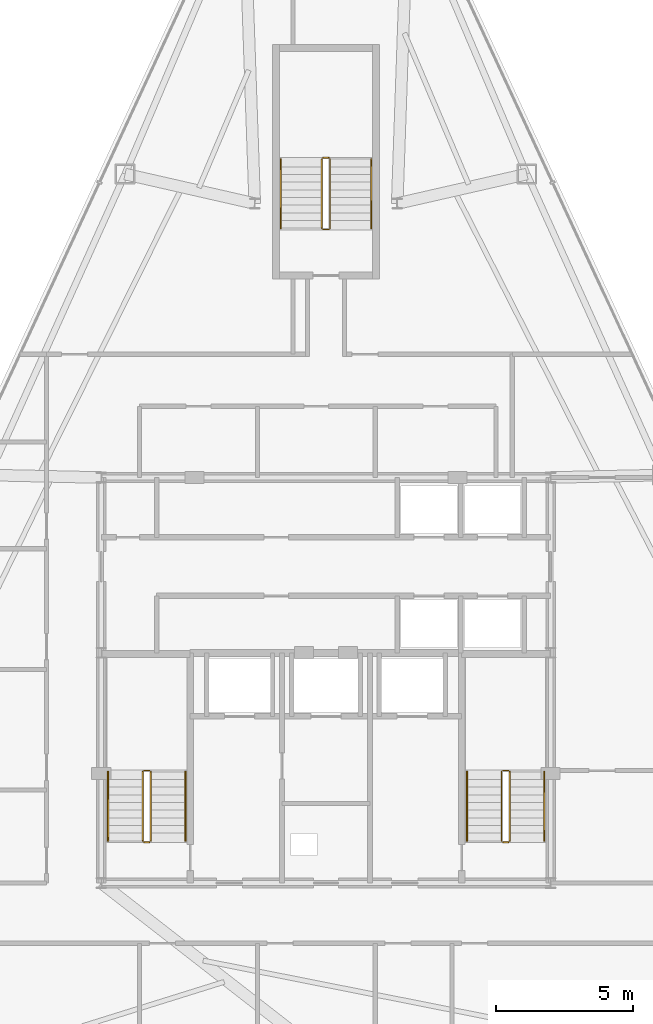
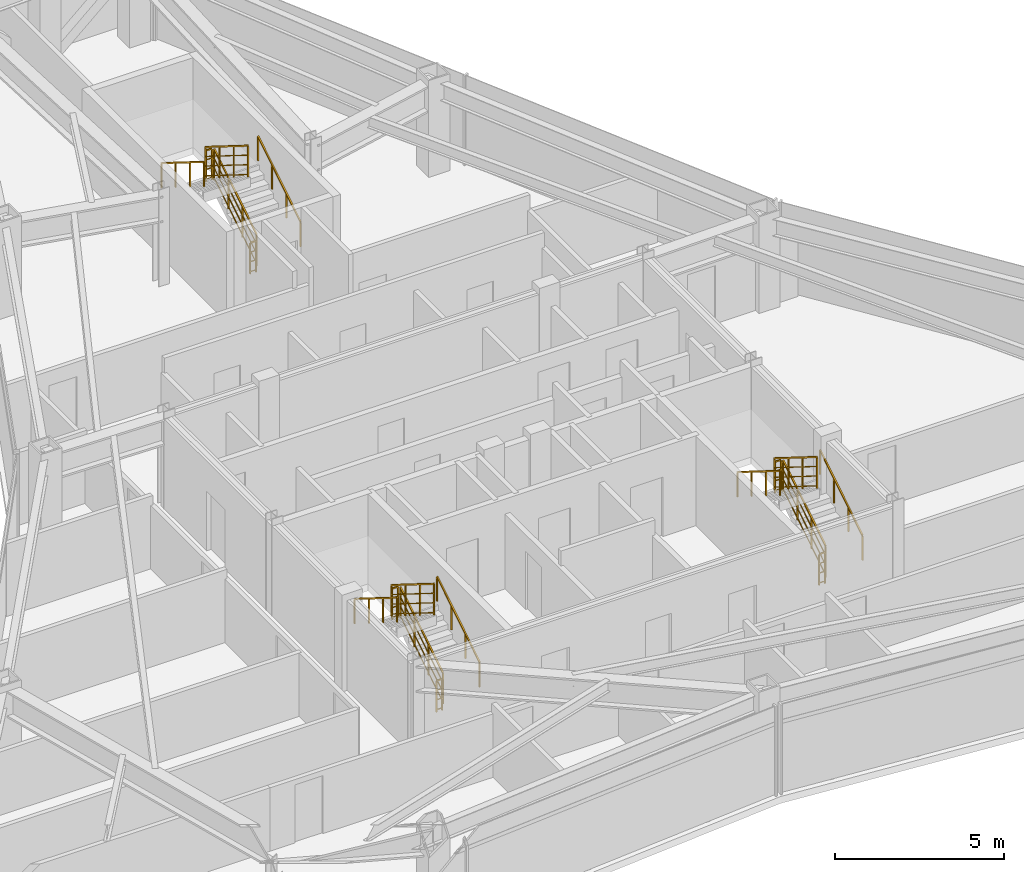
# One storey, part 12 of 12: 18 railings.
"""IFC4 building model written with IfcOpenShell, lengths in metres."""

from ifc_helpers import new_model, si_unit, direction, frame, origin, origin_2d, place, context, subcontext, project, spatial, rectangle, extrude, material, type_object, element, save


model = new_model("IFC4")

# Units and contexts
model_context = context("Model", 3, precision=1e-05, world=origin(), true_north=direction((0.0, 1.0)))
body_context = subcontext(model_context, "Body", "Model", "MODEL_VIEW")
ifc_project = project(units=[si_unit("LENGTHUNIT", "METRE"), si_unit("AREAUNIT", "SQUARE_METRE"), si_unit("VOLUMEUNIT", "CUBIC_METRE"), si_unit("PLANEANGLEUNIT", "RADIAN"), si_unit("MASSUNIT", "GRAM", prefix="KILO")], contexts=[model_context])

# Site, building, storey
site_placement = place(None, origin())
site = spatial("IfcSite", under=ifc_project, at=site_placement, CompositionType="ELEMENT")
building_placement = place(site_placement, origin())
building = spatial("IfcBuilding", under=site, at=building_placement, Name="Varakhsha Concourse Tower", CompositionType="ELEMENT")
storey_placement = place(building_placement, frame((0.0, 0.0, 236.39990234375)))
storey = spatial("IfcBuildingStorey", under=building, at=storey_placement, Name="L67", CompositionType="ELEMENT", Elevation=236.39990234375)

# Railings
ifc_material = material(Name="Brushed Austenitic Stainless Steel AISI 316", Category="steel")
railing_type_1 = type_object("IfcRailingType", Name="RL-STAIR-GUARD-1100", PredefinedType="GUARDRAIL", material=ifc_material)
railing_1_placement = place(storey_placement, frame((33.610107421875, 17.93994140625, 0.175048828125)))
element("IfcRailing", 1, at=railing_1_placement, inside=storey, type_object=railing_type_1, Name="L67 ST1 stair guard 1", PredefinedType="GUARDRAIL", context=body_context, shape_type="SweptSolid", body=[
    extrude(rectangle(XDim=0.048095703125, YDim=0.048095703125, at=origin_2d()), frame((0.0, 0.0, 1.1259765625), z_axis=(0.0, 0.848007534815, 0.529984170421), x_axis=(-1.0, 0.0, 0.0)), (0.0, 0.0, 1.0), 2.9716796875),
    extrude(rectangle(XDim=0.028076171875, YDim=0.028076171875, at=origin_2d()), frame((0.0, 0.0, 0.080078125), z_axis=(0.0, 0.848007534815, 0.529984170421), x_axis=(-1.0, 0.0, 0.0)), (0.0, 0.0, 1.0), 2.9716796875),
    extrude(rectangle(XDim=0.028076171875, YDim=0.028076171875, at=origin_2d()), frame((0.0, 0.0, 0.43701171875), z_axis=(0.0, 0.848007534815, 0.529984170421), x_axis=(-1.0, 0.0, 0.0)), (0.0, 0.0, 1.0), 2.9716796875),
    extrude(rectangle(XDim=0.028076171875, YDim=0.028076171875, at=origin_2d()), frame((0.0, 0.0, 0.781982421875), z_axis=(0.0, 0.848007534815, 0.529984170421), x_axis=(-1.0, 0.0, 0.0)), (0.0, 0.0, 1.0), 2.9716796875),
    extrude(rectangle(XDim=0.0419921875, YDim=0.0419921875, at=origin_2d()), origin(), (0.0, 0.0, 1.0), 1.101806640625),
    extrude(rectangle(XDim=0.0419921875, YDim=0.0419921875, at=origin_2d()), frame((0.0, 0.840087890625, 0.52490234375)), (0.0, 0.0, 1.0), 1.101806640625),
    extrude(rectangle(XDim=0.0419921875, YDim=0.0419921875, at=origin_2d()), frame((0.0, 1.679931640625, 1.050048828125)), (0.0, 0.0, 1.0), 1.101806640625),
    extrude(rectangle(XDim=0.0419921875, YDim=0.0419921875, at=origin_2d()), frame((0.0, 2.52001953125, 1.574951171875)), (0.0, 0.0, 1.0), 1.101806640625),
])
railing_2_placement = place(storey_placement, frame((33.56005859375, 20.510009765625, 1.75)))
element("IfcRailing", 2, at=railing_2_placement, inside=storey, type_object=railing_type_1, Name="L67 ST1 stair guard 2", PredefinedType="GUARDRAIL", context=body_context, shape_type="SweptSolid", body=[
    extrude(rectangle(XDim=0.048095703125, YDim=0.048095703125, at=origin_2d()), frame((0.0, 0.0, 1.1259765625), z_axis=(-1.0, 0.0, 0.0), x_axis=(0.0, -1.0, 0.0)), (0.0, 0.0, 1.0), 0.199951171875),
    extrude(rectangle(XDim=0.028076171875, YDim=0.028076171875, at=origin_2d()), frame((0.0, 0.0, 0.080078125), z_axis=(-1.0, 0.0, 0.0), x_axis=(0.0, -1.0, 0.0)), (0.0, 0.0, 1.0), 0.199951171875),
    extrude(rectangle(XDim=0.028076171875, YDim=0.028076171875, at=origin_2d()), frame((0.0, 0.0, 0.43701171875), z_axis=(-1.0, 0.0, 0.0), x_axis=(0.0, -1.0, 0.0)), (0.0, 0.0, 1.0), 0.199951171875),
    extrude(rectangle(XDim=0.028076171875, YDim=0.028076171875, at=origin_2d()), frame((0.0, 0.0, 0.781982421875), z_axis=(-1.0, 0.0, 0.0), x_axis=(0.0, -1.0, 0.0)), (0.0, 0.0, 1.0), 0.199951171875),
    extrude(rectangle(XDim=0.0419921875, YDim=0.0419921875, at=origin_2d()), origin(), (0.0, 0.0, 1.0), 1.101806640625),
    extrude(rectangle(XDim=0.0419921875, YDim=0.0419921875, at=origin_2d()), frame((-0.199951171875, 0.0, 0.0)), (0.0, 0.0, 1.0), 1.101806640625),
])
railing_3_placement = place(storey_placement, frame((33.31005859375, 20.4599609375, 1.925048828125)))
element("IfcRailing", 3, at=railing_3_placement, inside=storey, type_object=railing_type_1, Name="L67 ST1 stair guard 3", PredefinedType="GUARDRAIL", context=body_context, shape_type="SweptSolid", body=[
    extrude(rectangle(XDim=0.048095703125, YDim=0.048095703125, at=origin_2d()), frame((0.0, 0.0, 1.1259765625), z_axis=(0.0, -0.848007534815, 0.529984170421), x_axis=(1.0, 0.0, 0.0)), (0.0, 0.0, 1.0), 2.9716796875),
    extrude(rectangle(XDim=0.028076171875, YDim=0.028076171875, at=origin_2d()), frame((0.0, 0.0, 0.080078125), z_axis=(0.0, -0.848007534815, 0.529984170421), x_axis=(1.0, 0.0, 0.0)), (0.0, 0.0, 1.0), 2.9716796875),
    extrude(rectangle(XDim=0.028076171875, YDim=0.028076171875, at=origin_2d()), frame((0.0, 0.0, 0.43701171875), z_axis=(0.0, -0.848007534815, 0.529984170421), x_axis=(1.0, 0.0, 0.0)), (0.0, 0.0, 1.0), 2.9716796875),
    extrude(rectangle(XDim=0.028076171875, YDim=0.028076171875, at=origin_2d()), frame((0.0, 0.0, 0.781982421875), z_axis=(0.0, -0.848007534815, 0.529984170421), x_axis=(1.0, 0.0, 0.0)), (0.0, 0.0, 1.0), 2.9716796875),
    extrude(rectangle(XDim=0.0419921875, YDim=0.0419921875, at=origin_2d()), origin(), (0.0, 0.0, 1.0), 1.101806640625),
    extrude(rectangle(XDim=0.0419921875, YDim=0.0419921875, at=origin_2d()), frame((0.0, -0.840087890625, 0.52490234375)), (0.0, 0.0, 1.0), 1.101806640625),
    extrude(rectangle(XDim=0.0419921875, YDim=0.0419921875, at=origin_2d()), frame((0.0, -1.679931640625, 1.050048828125)), (0.0, 0.0, 1.0), 1.101806640625),
    extrude(rectangle(XDim=0.0419921875, YDim=0.0419921875, at=origin_2d()), frame((0.0, -2.52001953125, 1.574951171875)), (0.0, 0.0, 1.0), 1.101806640625),
])
railing_4_placement = place(storey_placement, frame((33.56005859375, 17.889892578125, 0.0)))
element("IfcRailing", 4, at=railing_4_placement, inside=storey, type_object=railing_type_1, Name="L67 ST1 stair guard 4", PredefinedType="GUARDRAIL", context=body_context, shape_type="SweptSolid", body=[
    extrude(rectangle(XDim=0.048095703125, YDim=0.048095703125, at=origin_2d()), frame((0.0, 0.0, 1.1259765625), z_axis=(-1.0, 0.0, 0.0), x_axis=(0.0, -1.0, 0.0)), (0.0, 0.0, 1.0), 0.199951171875),
    extrude(rectangle(XDim=0.028076171875, YDim=0.028076171875, at=origin_2d()), frame((0.0, 0.0, 0.080078125), z_axis=(-1.0, 0.0, 0.0), x_axis=(0.0, -1.0, 0.0)), (0.0, 0.0, 1.0), 0.199951171875),
    extrude(rectangle(XDim=0.028076171875, YDim=0.028076171875, at=origin_2d()), frame((0.0, 0.0, 0.43701171875), z_axis=(-1.0, 0.0, 0.0), x_axis=(0.0, -1.0, 0.0)), (0.0, 0.0, 1.0), 0.199951171875),
    extrude(rectangle(XDim=0.028076171875, YDim=0.028076171875, at=origin_2d()), frame((0.0, 0.0, 0.781982421875), z_axis=(-1.0, 0.0, 0.0), x_axis=(0.0, -1.0, 0.0)), (0.0, 0.0, 1.0), 0.199951171875),
    extrude(rectangle(XDim=0.0419921875, YDim=0.0419921875, at=origin_2d()), origin(), (0.0, 0.0, 1.0), 1.101806640625),
    extrude(rectangle(XDim=0.0419921875, YDim=0.0419921875, at=origin_2d()), frame((-0.199951171875, 0.0, 0.0)), (0.0, 0.0, 1.0), 1.101806640625),
])
railing_5_placement = place(storey_placement, frame((46.7099609375, 17.93994140625, 0.175048828125)))
element("IfcRailing", 5, at=railing_5_placement, inside=storey, type_object=railing_type_1, Name="L67 ST2 stair guard 1", PredefinedType="GUARDRAIL", context=body_context, shape_type="SweptSolid", body=[
    extrude(rectangle(XDim=0.048095703125, YDim=0.048095703125, at=origin_2d()), frame((0.0, 0.0, 1.1259765625), z_axis=(0.0, 0.848007534815, 0.529984170421), x_axis=(-1.0, 0.0, 0.0)), (0.0, 0.0, 1.0), 2.9716796875),
    extrude(rectangle(XDim=0.028076171875, YDim=0.028076171875, at=origin_2d()), frame((0.0, 0.0, 0.080078125), z_axis=(0.0, 0.848007534815, 0.529984170421), x_axis=(-1.0, 0.0, 0.0)), (0.0, 0.0, 1.0), 2.9716796875),
    extrude(rectangle(XDim=0.028076171875, YDim=0.028076171875, at=origin_2d()), frame((0.0, 0.0, 0.43701171875), z_axis=(0.0, 0.848007534815, 0.529984170421), x_axis=(-1.0, 0.0, 0.0)), (0.0, 0.0, 1.0), 2.9716796875),
    extrude(rectangle(XDim=0.028076171875, YDim=0.028076171875, at=origin_2d()), frame((0.0, 0.0, 0.781982421875), z_axis=(0.0, 0.848007534815, 0.529984170421), x_axis=(-1.0, 0.0, 0.0)), (0.0, 0.0, 1.0), 2.9716796875),
    extrude(rectangle(XDim=0.0419921875, YDim=0.0419921875, at=origin_2d()), origin(), (0.0, 0.0, 1.0), 1.101806640625),
    extrude(rectangle(XDim=0.0419921875, YDim=0.0419921875, at=origin_2d()), frame((0.0, 0.840087890625, 0.52490234375)), (0.0, 0.0, 1.0), 1.101806640625),
    extrude(rectangle(XDim=0.0419921875, YDim=0.0419921875, at=origin_2d()), frame((0.0, 1.679931640625, 1.050048828125)), (0.0, 0.0, 1.0), 1.101806640625),
    extrude(rectangle(XDim=0.0419921875, YDim=0.0419921875, at=origin_2d()), frame((0.0, 2.52001953125, 1.574951171875)), (0.0, 0.0, 1.0), 1.101806640625),
])
railing_6_placement = place(storey_placement, frame((46.659912109375, 20.510009765625, 1.75)))
element("IfcRailing", 6, at=railing_6_placement, inside=storey, type_object=railing_type_1, Name="L67 ST2 stair guard 2", PredefinedType="GUARDRAIL", context=body_context, shape_type="SweptSolid", body=[
    extrude(rectangle(XDim=0.048095703125, YDim=0.048095703125, at=origin_2d()), frame((0.0, 0.0, 1.1259765625), z_axis=(-1.0, 0.0, 0.0), x_axis=(0.0, -1.0, 0.0)), (0.0, 0.0, 1.0), 0.199951171875),
    extrude(rectangle(XDim=0.028076171875, YDim=0.028076171875, at=origin_2d()), frame((0.0, 0.0, 0.080078125), z_axis=(-1.0, 0.0, 0.0), x_axis=(0.0, -1.0, 0.0)), (0.0, 0.0, 1.0), 0.199951171875),
    extrude(rectangle(XDim=0.028076171875, YDim=0.028076171875, at=origin_2d()), frame((0.0, 0.0, 0.43701171875), z_axis=(-1.0, 0.0, 0.0), x_axis=(0.0, -1.0, 0.0)), (0.0, 0.0, 1.0), 0.199951171875),
    extrude(rectangle(XDim=0.028076171875, YDim=0.028076171875, at=origin_2d()), frame((0.0, 0.0, 0.781982421875), z_axis=(-1.0, 0.0, 0.0), x_axis=(0.0, -1.0, 0.0)), (0.0, 0.0, 1.0), 0.199951171875),
    extrude(rectangle(XDim=0.0419921875, YDim=0.0419921875, at=origin_2d()), origin(), (0.0, 0.0, 1.0), 1.101806640625),
    extrude(rectangle(XDim=0.0419921875, YDim=0.0419921875, at=origin_2d()), frame((-0.199951171875, 0.0, 0.0)), (0.0, 0.0, 1.0), 1.101806640625),
])
railing_7_placement = place(storey_placement, frame((46.409912109375, 20.4599609375, 1.925048828125)))
element("IfcRailing", 7, at=railing_7_placement, inside=storey, type_object=railing_type_1, Name="L67 ST2 stair guard 3", PredefinedType="GUARDRAIL", context=body_context, shape_type="SweptSolid", body=[
    extrude(rectangle(XDim=0.048095703125, YDim=0.048095703125, at=origin_2d()), frame((0.0, 0.0, 1.1259765625), z_axis=(0.0, -0.848007534815, 0.529984170421), x_axis=(1.0, 0.0, 0.0)), (0.0, 0.0, 1.0), 2.9716796875),
    extrude(rectangle(XDim=0.028076171875, YDim=0.028076171875, at=origin_2d()), frame((0.0, 0.0, 0.080078125), z_axis=(0.0, -0.848007534815, 0.529984170421), x_axis=(1.0, 0.0, 0.0)), (0.0, 0.0, 1.0), 2.9716796875),
    extrude(rectangle(XDim=0.028076171875, YDim=0.028076171875, at=origin_2d()), frame((0.0, 0.0, 0.43701171875), z_axis=(0.0, -0.848007534815, 0.529984170421), x_axis=(1.0, 0.0, 0.0)), (0.0, 0.0, 1.0), 2.9716796875),
    extrude(rectangle(XDim=0.028076171875, YDim=0.028076171875, at=origin_2d()), frame((0.0, 0.0, 0.781982421875), z_axis=(0.0, -0.848007534815, 0.529984170421), x_axis=(1.0, 0.0, 0.0)), (0.0, 0.0, 1.0), 2.9716796875),
    extrude(rectangle(XDim=0.0419921875, YDim=0.0419921875, at=origin_2d()), origin(), (0.0, 0.0, 1.0), 1.101806640625),
    extrude(rectangle(XDim=0.0419921875, YDim=0.0419921875, at=origin_2d()), frame((0.0, -0.840087890625, 0.52490234375)), (0.0, 0.0, 1.0), 1.101806640625),
    extrude(rectangle(XDim=0.0419921875, YDim=0.0419921875, at=origin_2d()), frame((0.0, -1.679931640625, 1.050048828125)), (0.0, 0.0, 1.0), 1.101806640625),
    extrude(rectangle(XDim=0.0419921875, YDim=0.0419921875, at=origin_2d()), frame((0.0, -2.52001953125, 1.574951171875)), (0.0, 0.0, 1.0), 1.101806640625),
])
railing_8_placement = place(storey_placement, frame((46.659912109375, 17.889892578125, 0.0)))
element("IfcRailing", 8, at=railing_8_placement, inside=storey, type_object=railing_type_1, Name="L67 ST2 stair guard 4", PredefinedType="GUARDRAIL", context=body_context, shape_type="SweptSolid", body=[
    extrude(rectangle(XDim=0.048095703125, YDim=0.048095703125, at=origin_2d()), frame((0.0, 0.0, 1.1259765625), z_axis=(-1.0, 0.0, 0.0), x_axis=(0.0, -1.0, 0.0)), (0.0, 0.0, 1.0), 0.199951171875),
    extrude(rectangle(XDim=0.028076171875, YDim=0.028076171875, at=origin_2d()), frame((0.0, 0.0, 0.080078125), z_axis=(-1.0, 0.0, 0.0), x_axis=(0.0, -1.0, 0.0)), (0.0, 0.0, 1.0), 0.199951171875),
    extrude(rectangle(XDim=0.028076171875, YDim=0.028076171875, at=origin_2d()), frame((0.0, 0.0, 0.43701171875), z_axis=(-1.0, 0.0, 0.0), x_axis=(0.0, -1.0, 0.0)), (0.0, 0.0, 1.0), 0.199951171875),
    extrude(rectangle(XDim=0.028076171875, YDim=0.028076171875, at=origin_2d()), frame((0.0, 0.0, 0.781982421875), z_axis=(-1.0, 0.0, 0.0), x_axis=(0.0, -1.0, 0.0)), (0.0, 0.0, 1.0), 0.199951171875),
    extrude(rectangle(XDim=0.0419921875, YDim=0.0419921875, at=origin_2d()), origin(), (0.0, 0.0, 1.0), 1.101806640625),
    extrude(rectangle(XDim=0.0419921875, YDim=0.0419921875, at=origin_2d()), frame((-0.199951171875, 0.0, 0.0)), (0.0, 0.0, 1.0), 1.101806640625),
])
railing_9_placement = place(storey_placement, frame((40.14990234375, 40.300048828125, 0.175048828125)))
element("IfcRailing", 9, at=railing_9_placement, inside=storey, type_object=railing_type_1, Name="L67 ST5 stair guard 1", PredefinedType="GUARDRAIL", context=body_context, shape_type="SweptSolid", body=[
    extrude(rectangle(XDim=0.048095703125, YDim=0.048095703125, at=origin_2d()), frame((0.0, 0.0, 1.1259765625), z_axis=(0.0, 0.848007534815, 0.529984170421), x_axis=(-1.0, 0.0, 0.0)), (0.0, 0.0, 1.0), 2.9716796875),
    extrude(rectangle(XDim=0.028076171875, YDim=0.028076171875, at=origin_2d()), frame((0.0, 0.0, 0.080078125), z_axis=(0.0, 0.848007534815, 0.529984170421), x_axis=(-1.0, 0.0, 0.0)), (0.0, 0.0, 1.0), 2.9716796875),
    extrude(rectangle(XDim=0.028076171875, YDim=0.028076171875, at=origin_2d()), frame((0.0, 0.0, 0.43701171875), z_axis=(0.0, 0.848007534815, 0.529984170421), x_axis=(-1.0, 0.0, 0.0)), (0.0, 0.0, 1.0), 2.9716796875),
    extrude(rectangle(XDim=0.028076171875, YDim=0.028076171875, at=origin_2d()), frame((0.0, 0.0, 0.781982421875), z_axis=(0.0, 0.848007534815, 0.529984170421), x_axis=(-1.0, 0.0, 0.0)), (0.0, 0.0, 1.0), 2.9716796875),
    extrude(rectangle(XDim=0.0419921875, YDim=0.0419921875, at=origin_2d()), origin(), (0.0, 0.0, 1.0), 1.101806640625),
    extrude(rectangle(XDim=0.0419921875, YDim=0.0419921875, at=origin_2d()), frame((0.0, 0.840087890625, 0.52490234375)), (0.0, 0.0, 1.0), 1.101806640625),
    extrude(rectangle(XDim=0.0419921875, YDim=0.0419921875, at=origin_2d()), frame((0.0, 1.679931640625, 1.050048828125)), (0.0, 0.0, 1.0), 1.101806640625),
    extrude(rectangle(XDim=0.0419921875, YDim=0.0419921875, at=origin_2d()), frame((0.0, 2.52001953125, 1.574951171875)), (0.0, 0.0, 1.0), 1.101806640625),
])
railing_10_placement = place(storey_placement, frame((40.10009765625, 42.8701171875, 1.75)))
element("IfcRailing", 10, at=railing_10_placement, inside=storey, type_object=railing_type_1, Name="L67 ST5 stair guard 2", PredefinedType="GUARDRAIL", context=body_context, shape_type="SweptSolid", body=[
    extrude(rectangle(XDim=0.048095703125, YDim=0.048095703125, at=origin_2d()), frame((0.0, 0.0, 1.1259765625), z_axis=(-1.0, 0.0, 0.0), x_axis=(0.0, -1.0, 0.0)), (0.0, 0.0, 1.0), 0.2001953125),
    extrude(rectangle(XDim=0.028076171875, YDim=0.028076171875, at=origin_2d()), frame((0.0, 0.0, 0.080078125), z_axis=(-1.0, 0.0, 0.0), x_axis=(0.0, -1.0, 0.0)), (0.0, 0.0, 1.0), 0.2001953125),
    extrude(rectangle(XDim=0.028076171875, YDim=0.028076171875, at=origin_2d()), frame((0.0, 0.0, 0.43701171875), z_axis=(-1.0, 0.0, 0.0), x_axis=(0.0, -1.0, 0.0)), (0.0, 0.0, 1.0), 0.2001953125),
    extrude(rectangle(XDim=0.028076171875, YDim=0.028076171875, at=origin_2d()), frame((0.0, 0.0, 0.781982421875), z_axis=(-1.0, 0.0, 0.0), x_axis=(0.0, -1.0, 0.0)), (0.0, 0.0, 1.0), 0.2001953125),
    extrude(rectangle(XDim=0.0419921875, YDim=0.0419921875, at=origin_2d()), origin(), (0.0, 0.0, 1.0), 1.101806640625),
    extrude(rectangle(XDim=0.0419921875, YDim=0.0419921875, at=origin_2d()), frame((-0.2001953125, 0.0, 0.0)), (0.0, 0.0, 1.0), 1.101806640625),
])
railing_11_placement = place(storey_placement, frame((39.85009765625, 42.820068359375, 1.925048828125)))
element("IfcRailing", 11, at=railing_11_placement, inside=storey, type_object=railing_type_1, Name="L67 ST5 stair guard 3", PredefinedType="GUARDRAIL", context=body_context, shape_type="SweptSolid", body=[
    extrude(rectangle(XDim=0.048095703125, YDim=0.048095703125, at=origin_2d()), frame((0.0, 0.0, 1.1259765625), z_axis=(0.0, -0.848007534815, 0.529984170421), x_axis=(1.0, 0.0, 0.0)), (0.0, 0.0, 1.0), 2.9716796875),
    extrude(rectangle(XDim=0.028076171875, YDim=0.028076171875, at=origin_2d()), frame((0.0, 0.0, 0.080078125), z_axis=(0.0, -0.848007534815, 0.529984170421), x_axis=(1.0, 0.0, 0.0)), (0.0, 0.0, 1.0), 2.9716796875),
    extrude(rectangle(XDim=0.028076171875, YDim=0.028076171875, at=origin_2d()), frame((0.0, 0.0, 0.43701171875), z_axis=(0.0, -0.848007534815, 0.529984170421), x_axis=(1.0, 0.0, 0.0)), (0.0, 0.0, 1.0), 2.9716796875),
    extrude(rectangle(XDim=0.028076171875, YDim=0.028076171875, at=origin_2d()), frame((0.0, 0.0, 0.781982421875), z_axis=(0.0, -0.848007534815, 0.529984170421), x_axis=(1.0, 0.0, 0.0)), (0.0, 0.0, 1.0), 2.9716796875),
    extrude(rectangle(XDim=0.0419921875, YDim=0.0419921875, at=origin_2d()), origin(), (0.0, 0.0, 1.0), 1.101806640625),
    extrude(rectangle(XDim=0.0419921875, YDim=0.0419921875, at=origin_2d()), frame((0.0, -0.840087890625, 0.52490234375)), (0.0, 0.0, 1.0), 1.101806640625),
    extrude(rectangle(XDim=0.0419921875, YDim=0.0419921875, at=origin_2d()), frame((0.0, -1.679931640625, 1.050048828125)), (0.0, 0.0, 1.0), 1.101806640625),
    extrude(rectangle(XDim=0.0419921875, YDim=0.0419921875, at=origin_2d()), frame((0.0, -2.52001953125, 1.574951171875)), (0.0, 0.0, 1.0), 1.101806640625),
])
railing_12_placement = place(storey_placement, frame((40.10009765625, 40.25, 0.0)))
element("IfcRailing", 12, at=railing_12_placement, inside=storey, type_object=railing_type_1, Name="L67 ST5 stair guard 4", PredefinedType="GUARDRAIL", context=body_context, shape_type="SweptSolid", body=[
    extrude(rectangle(XDim=0.048095703125, YDim=0.048095703125, at=origin_2d()), frame((0.0, 0.0, 1.1259765625), z_axis=(-1.0, 0.0, 0.0), x_axis=(0.0, -1.0, 0.0)), (0.0, 0.0, 1.0), 0.2001953125),
    extrude(rectangle(XDim=0.028076171875, YDim=0.028076171875, at=origin_2d()), frame((0.0, 0.0, 0.080078125), z_axis=(-1.0, 0.0, 0.0), x_axis=(0.0, -1.0, 0.0)), (0.0, 0.0, 1.0), 0.2001953125),
    extrude(rectangle(XDim=0.028076171875, YDim=0.028076171875, at=origin_2d()), frame((0.0, 0.0, 0.43701171875), z_axis=(-1.0, 0.0, 0.0), x_axis=(0.0, -1.0, 0.0)), (0.0, 0.0, 1.0), 0.2001953125),
    extrude(rectangle(XDim=0.028076171875, YDim=0.028076171875, at=origin_2d()), frame((0.0, 0.0, 0.781982421875), z_axis=(-1.0, 0.0, 0.0), x_axis=(0.0, -1.0, 0.0)), (0.0, 0.0, 1.0), 0.2001953125),
    extrude(rectangle(XDim=0.0419921875, YDim=0.0419921875, at=origin_2d()), origin(), (0.0, 0.0, 1.0), 1.101806640625),
    extrude(rectangle(XDim=0.0419921875, YDim=0.0419921875, at=origin_2d()), frame((-0.2001953125, 0.0, 0.0)), (0.0, 0.0, 1.0), 1.101806640625),
])
railing_type_2 = type_object("IfcRailingType", Name="RL-STAIR-RAIL-915", PredefinedType="HANDRAIL", material=ifc_material)
railing_13_placement = place(storey_placement, frame((34.8701171875, 17.93994140625, 0.35009765625)))
element("IfcRailing", 13, at=railing_13_placement, inside=storey, type_object=railing_type_2, Name="L67 ST1 stair handrail 1", PredefinedType="HANDRAIL", context=body_context, shape_type="SweptSolid", body=[
    extrude(rectangle(XDim=0.048095703125, YDim=0.048095703125, at=origin_2d()), frame((0.0, 0.0, 0.89111328125), z_axis=(0.0, 0.848007534815, 0.529984170421), x_axis=(-1.0, 0.0, 0.0)), (0.0, 0.0, 1.0), 2.9716796875),
    extrude(rectangle(XDim=0.0419921875, YDim=0.0419921875, at=origin_2d()), origin(), (0.0, 0.0, 1.0), 0.866943359375),
    extrude(rectangle(XDim=0.0419921875, YDim=0.0419921875, at=origin_2d()), frame((0.0, 0.840087890625, 0.52490234375)), (0.0, 0.0, 1.0), 0.866943359375),
    extrude(rectangle(XDim=0.0419921875, YDim=0.0419921875, at=origin_2d()), frame((0.0, 1.679931640625, 1.050048828125)), (0.0, 0.0, 1.0), 0.866943359375),
    extrude(rectangle(XDim=0.0419921875, YDim=0.0419921875, at=origin_2d()), frame((0.0, 2.52001953125, 1.574951171875)), (0.0, 0.0, 1.0), 0.866943359375),
])
railing_14_placement = place(storey_placement, frame((32.050048828125, 20.4599609375, 2.10009765625)))
element("IfcRailing", 14, at=railing_14_placement, inside=storey, type_object=railing_type_2, Name="L67 ST1 stair handrail 2", PredefinedType="HANDRAIL", context=body_context, shape_type="SweptSolid", body=[
    extrude(rectangle(XDim=0.048095703125, YDim=0.048095703125, at=origin_2d()), frame((0.0, 0.0, 0.89111328125), z_axis=(0.0, -0.848007534815, 0.529984170421), x_axis=(1.0, 0.0, 0.0)), (0.0, 0.0, 1.0), 2.9716796875),
    extrude(rectangle(XDim=0.0419921875, YDim=0.0419921875, at=origin_2d()), origin(), (0.0, 0.0, 1.0), 0.866943359375),
    extrude(rectangle(XDim=0.0419921875, YDim=0.0419921875, at=origin_2d()), frame((0.0, -0.840087890625, 0.52490234375)), (0.0, 0.0, 1.0), 0.866943359375),
    extrude(rectangle(XDim=0.0419921875, YDim=0.0419921875, at=origin_2d()), frame((0.0, -1.679931640625, 1.050048828125)), (0.0, 0.0, 1.0), 0.866943359375),
    extrude(rectangle(XDim=0.0419921875, YDim=0.0419921875, at=origin_2d()), frame((0.0, -2.52001953125, 1.574951171875)), (0.0, 0.0, 1.0), 0.866943359375),
])
railing_15_placement = place(storey_placement, frame((47.969970703125, 17.93994140625, 0.35009765625)))
element("IfcRailing", 15, at=railing_15_placement, inside=storey, type_object=railing_type_2, Name="L67 ST2 stair handrail 1", PredefinedType="HANDRAIL", context=body_context, shape_type="SweptSolid", body=[
    extrude(rectangle(XDim=0.048095703125, YDim=0.048095703125, at=origin_2d()), frame((0.0, 0.0, 0.89111328125), z_axis=(0.0, 0.848007534815, 0.529984170421), x_axis=(-1.0, 0.0, 0.0)), (0.0, 0.0, 1.0), 2.9716796875),
    extrude(rectangle(XDim=0.0419921875, YDim=0.0419921875, at=origin_2d()), origin(), (0.0, 0.0, 1.0), 0.866943359375),
    extrude(rectangle(XDim=0.0419921875, YDim=0.0419921875, at=origin_2d()), frame((0.0, 0.840087890625, 0.52490234375)), (0.0, 0.0, 1.0), 0.866943359375),
    extrude(rectangle(XDim=0.0419921875, YDim=0.0419921875, at=origin_2d()), frame((0.0, 1.679931640625, 1.050048828125)), (0.0, 0.0, 1.0), 0.866943359375),
    extrude(rectangle(XDim=0.0419921875, YDim=0.0419921875, at=origin_2d()), frame((0.0, 2.52001953125, 1.574951171875)), (0.0, 0.0, 1.0), 0.866943359375),
])
railing_16_placement = place(storey_placement, frame((45.14990234375, 20.4599609375, 2.10009765625)))
element("IfcRailing", 16, at=railing_16_placement, inside=storey, type_object=railing_type_2, Name="L67 ST2 stair handrail 2", PredefinedType="HANDRAIL", context=body_context, shape_type="SweptSolid", body=[
    extrude(rectangle(XDim=0.048095703125, YDim=0.048095703125, at=origin_2d()), frame((0.0, 0.0, 0.89111328125), z_axis=(0.0, -0.848007534815, 0.529984170421), x_axis=(1.0, 0.0, 0.0)), (0.0, 0.0, 1.0), 2.9716796875),
    extrude(rectangle(XDim=0.0419921875, YDim=0.0419921875, at=origin_2d()), origin(), (0.0, 0.0, 1.0), 0.866943359375),
    extrude(rectangle(XDim=0.0419921875, YDim=0.0419921875, at=origin_2d()), frame((0.0, -0.840087890625, 0.52490234375)), (0.0, 0.0, 1.0), 0.866943359375),
    extrude(rectangle(XDim=0.0419921875, YDim=0.0419921875, at=origin_2d()), frame((0.0, -1.679931640625, 1.050048828125)), (0.0, 0.0, 1.0), 0.866943359375),
    extrude(rectangle(XDim=0.0419921875, YDim=0.0419921875, at=origin_2d()), frame((0.0, -2.52001953125, 1.574951171875)), (0.0, 0.0, 1.0), 0.866943359375),
])
railing_17_placement = place(storey_placement, frame((41.64990234375, 40.300048828125, 0.35009765625)))
element("IfcRailing", 17, at=railing_17_placement, inside=storey, type_object=railing_type_2, Name="L67 ST5 stair handrail 1", PredefinedType="HANDRAIL", context=body_context, shape_type="SweptSolid", body=[
    extrude(rectangle(XDim=0.048095703125, YDim=0.048095703125, at=origin_2d()), frame((0.0, 0.0, 0.89111328125), z_axis=(0.0, 0.848007534815, 0.529984170421), x_axis=(-1.0, 0.0, 0.0)), (0.0, 0.0, 1.0), 2.9716796875),
    extrude(rectangle(XDim=0.0419921875, YDim=0.0419921875, at=origin_2d()), origin(), (0.0, 0.0, 1.0), 0.866943359375),
    extrude(rectangle(XDim=0.0419921875, YDim=0.0419921875, at=origin_2d()), frame((0.0, 0.840087890625, 0.52490234375)), (0.0, 0.0, 1.0), 0.866943359375),
    extrude(rectangle(XDim=0.0419921875, YDim=0.0419921875, at=origin_2d()), frame((0.0, 1.679931640625, 1.050048828125)), (0.0, 0.0, 1.0), 0.866943359375),
    extrude(rectangle(XDim=0.0419921875, YDim=0.0419921875, at=origin_2d()), frame((0.0, 2.52001953125, 1.574951171875)), (0.0, 0.0, 1.0), 0.866943359375),
])
railing_18_placement = place(storey_placement, frame((38.35009765625, 42.820068359375, 2.10009765625)))
element("IfcRailing", 18, at=railing_18_placement, inside=storey, type_object=railing_type_2, Name="L67 ST5 stair handrail 2", PredefinedType="HANDRAIL", context=body_context, shape_type="SweptSolid", body=[
    extrude(rectangle(XDim=0.048095703125, YDim=0.048095703125, at=origin_2d()), frame((0.0, 0.0, 0.89111328125), z_axis=(0.0, -0.848007534815, 0.529984170421), x_axis=(1.0, 0.0, 0.0)), (0.0, 0.0, 1.0), 2.9716796875),
    extrude(rectangle(XDim=0.0419921875, YDim=0.0419921875, at=origin_2d()), origin(), (0.0, 0.0, 1.0), 0.866943359375),
    extrude(rectangle(XDim=0.0419921875, YDim=0.0419921875, at=origin_2d()), frame((0.0, -0.840087890625, 0.52490234375)), (0.0, 0.0, 1.0), 0.866943359375),
    extrude(rectangle(XDim=0.0419921875, YDim=0.0419921875, at=origin_2d()), frame((0.0, -1.679931640625, 1.050048828125)), (0.0, 0.0, 1.0), 0.866943359375),
    extrude(rectangle(XDim=0.0419921875, YDim=0.0419921875, at=origin_2d()), frame((0.0, -2.52001953125, 1.574951171875)), (0.0, 0.0, 1.0), 0.866943359375),
])

save(model, "model.ifc")
